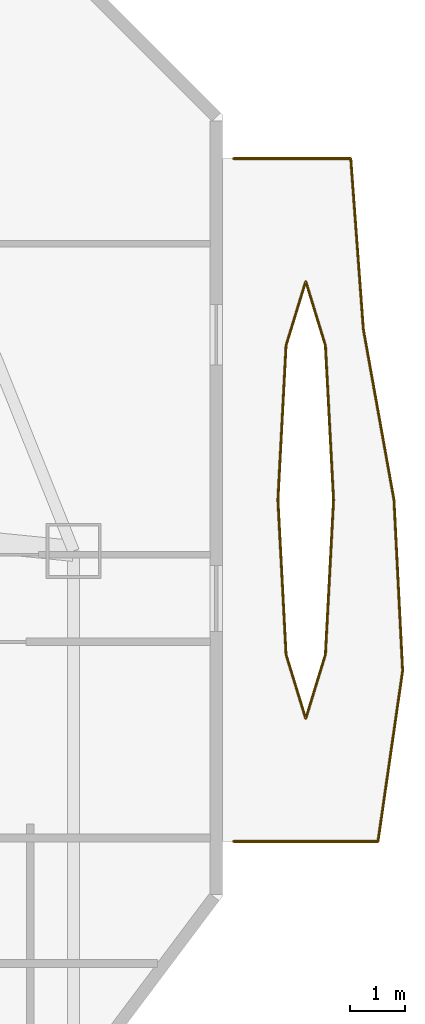
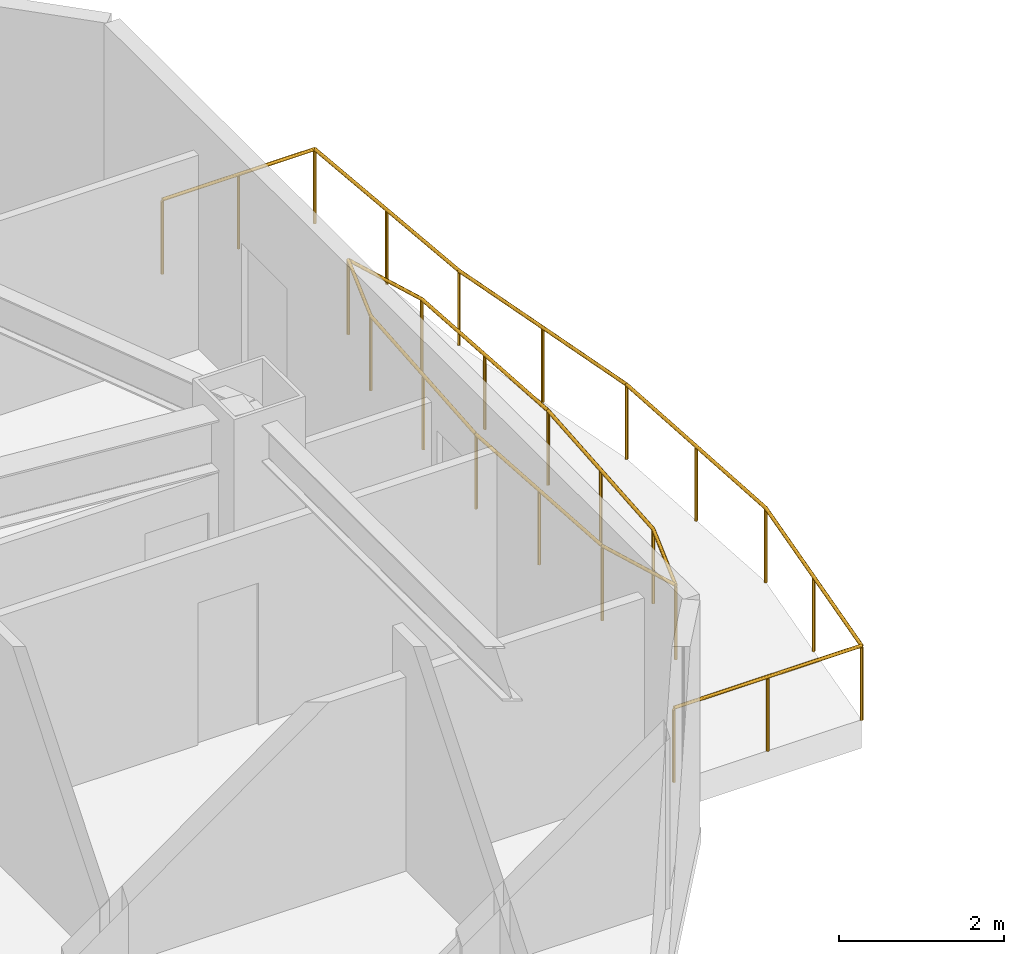
# One storey, part 15 of 15: 4 railings.
"""IFC4 building model written with IfcOpenShell, lengths in metres."""

from ifc_helpers import new_model, si_unit, direction, frame, origin, origin_2d, place, context, subcontext, project, spatial, circle, extrude, material, type_object, element, save


model = new_model("IFC4")

# Units and contexts
model_context = context("Model", 3, precision=1e-05, world=origin(), true_north=direction((0.0, 1.0)))
body_context = subcontext(model_context, "Body", "Model", "MODEL_VIEW")
ifc_project = project(units=[si_unit("LENGTHUNIT", "METRE"), si_unit("AREAUNIT", "SQUARE_METRE"), si_unit("VOLUMEUNIT", "CUBIC_METRE"), si_unit("PLANEANGLEUNIT", "RADIAN"), si_unit("MASSUNIT", "GRAM", prefix="KILO")], contexts=[model_context])

# Site, building, storey
site_placement = place(None, origin())
site = spatial("IfcSite", under=ifc_project, at=site_placement, CompositionType="ELEMENT")
building_placement = place(site_placement, origin())
building = spatial("IfcBuilding", under=site, at=building_placement, Name="Khamvora Tower", CompositionType="ELEMENT")
storey_placement = place(building_placement, frame((0.0, 0.0, 112.85009765625)))
storey = spatial("IfcBuildingStorey", under=building, at=storey_placement, Name="L28", CompositionType="ELEMENT", Elevation=112.85009765625)

# Railings
ifc_material = material(Name="Stainless Steel 316 and Laminated Glass", Category="steel")
railing_type = type_object("IfcRailingType", Name="RAL-GAL-1120", PredefinedType="GUARDRAIL", material=ifc_material)
railing_1_placement = place(storey_placement, frame((56.800048828125, 32.199951171875, 0.0)))
element("IfcRailing", 1, at=railing_1_placement, inside=storey, type_object=railing_type, Name="L28 lens gallery south perimeter guardrail EL2", PredefinedType="GUARDRAIL", context=body_context, shape_type="SweptSolid", body=[
    extrude(circle(Radius=0.02392578125, at=origin_2d()), frame((0.0, 0.0, 1.09619140625), z_axis=(1.0, 0.0, 0.0), x_axis=(0.0, 1.0, 0.0)), (0.0, 0.0, 1.0), 2.626953125),
    extrude(circle(Radius=0.02392578125, at=origin_2d()), frame((2.626953125, 0.0, 1.09619140625), z_axis=(0.143025235624, 0.989719041938, 0.0), x_axis=(-0.989719041938, 0.143025235624, 0.0)), (0.0, 0.0, 1.0), 3.13232421875),
    extrude(circle(Radius=0.02392578125, at=origin_2d()), frame((3.074951171875, 3.10009765625, 1.09619140625), z_axis=(-0.05057707045, 0.998720160978, 0.0), x_axis=(-0.998720160978, -0.05057707045, 0.0)), (0.0, 0.0, 1.0), 3.103759765625),
    extrude(circle(Radius=0.02099609375, at=origin_2d()), origin(), (0.0, 0.0, 1.0), 1.072021484375),
    extrude(circle(Radius=0.02099609375, at=origin_2d()), frame((1.3134765625, 0.0, 0.0)), (0.0, 0.0, 1.0), 1.072021484375),
    extrude(circle(Radius=0.02099609375, at=origin_2d()), frame((2.626953125, 0.0, 0.0)), (0.0, 0.0, 1.0), 1.072021484375),
    extrude(circle(Radius=0.02099609375, at=origin_2d()), frame((2.85107421875, 1.550048828125, 0.0)), (0.0, 0.0, 1.0), 1.072021484375),
    extrude(circle(Radius=0.02099609375, at=origin_2d()), frame((3.074951171875, 3.10009765625, 0.0)), (0.0, 0.0, 1.0), 1.072021484375),
    extrude(circle(Radius=0.02099609375, at=origin_2d()), frame((2.99658203125, 4.64990234375, 0.0)), (0.0, 0.0, 1.0), 1.072021484375),
    extrude(circle(Radius=0.02099609375, at=origin_2d()), frame((2.91796875, 6.199951171875, 0.0)), (0.0, 0.0, 1.0), 1.072021484375),
])
railing_2_placement = place(storey_placement, frame((59.718017578125, 38.39990234375, 0.0)))
element("IfcRailing", 2, at=railing_2_placement, inside=storey, type_object=railing_type, Name="L28 lens gallery north perimeter guardrail EL2", PredefinedType="GUARDRAIL", context=body_context, shape_type="SweptSolid", body=[
    extrude(circle(Radius=0.02392578125, at=origin_2d()), frame((0.0, 0.0, 1.09619140625), z_axis=(-0.176504238982, 0.984299879926, 0.0), x_axis=(-0.984299879926, -0.176504238982, 0.0)), (0.0, 0.0, 1.0), 3.149658203125),
    extrude(circle(Radius=0.02392578125, at=origin_2d()), frame((-0.555908203125, 3.10009765625, 1.09619140625), z_axis=(-0.073669176635, 0.997282734441, 0.0), x_axis=(-0.997282734441, -0.073669176635, 0.0)), (0.0, 0.0, 1.0), 3.108642578125),
    extrude(circle(Radius=0.02392578125, at=origin_2d()), frame((-0.784912109375, 6.2001953125, 1.09619140625), z_axis=(-1.0, 0.0, 0.0), x_axis=(0.0, -1.0, 0.0)), (0.0, 0.0, 1.0), 2.133056640625),
    extrude(circle(Radius=0.02099609375, at=origin_2d()), origin(), (0.0, 0.0, 1.0), 1.072021484375),
    extrude(circle(Radius=0.02099609375, at=origin_2d()), frame((-0.27783203125, 1.550048828125, 0.0)), (0.0, 0.0, 1.0), 1.072021484375),
    extrude(circle(Radius=0.02099609375, at=origin_2d()), frame((-0.555908203125, 3.10009765625, 0.0)), (0.0, 0.0, 1.0), 1.072021484375),
    extrude(circle(Radius=0.02099609375, at=origin_2d()), frame((-0.67041015625, 4.650146484375, 0.0)), (0.0, 0.0, 1.0), 1.072021484375),
    extrude(circle(Radius=0.02099609375, at=origin_2d()), frame((-0.784912109375, 6.2001953125, 0.0)), (0.0, 0.0, 1.0), 1.072021484375),
    extrude(circle(Radius=0.02099609375, at=origin_2d()), frame((-1.8515625, 6.2001953125, 0.0)), (0.0, 0.0, 1.0), 1.072021484375),
    extrude(circle(Radius=0.02099609375, at=origin_2d()), frame((-2.91796875, 6.2001953125, 0.0)), (0.0, 0.0, 1.0), 1.072021484375),
])
railing_3_placement = place(storey_placement, frame((58.618896484375, 38.39990234375, 0.0)))
element("IfcRailing", 3, at=railing_3_placement, inside=storey, type_object=railing_type, Name="L28 lens gallery void guardrail EL2A", PredefinedType="GUARDRAIL", context=body_context, shape_type="SweptSolid", body=[
    extrude(circle(Radius=0.02392578125, at=origin_2d()), frame((0.0, 0.0, 1.09619140625), z_axis=(-0.05265003421, 0.998613025099, 0.0), x_axis=(-0.998613025099, -0.05265003421, 0.0)), (0.0, 0.0, 1.0), 2.81005859375),
    extrude(circle(Radius=0.02392578125, at=origin_2d()), frame((-0.14794921875, 2.80615234375, 1.09619140625), z_axis=(-0.292927952476, 0.956134517031, 0.0), x_axis=(-0.956134517031, -0.292927952476, 0.0)), (0.0, 0.0, 1.0), 1.215087890625),
    extrude(circle(Radius=0.02392578125, at=origin_2d()), frame((-0.50390625, 3.968017578125, 1.09619140625), z_axis=(-0.292927952476, -0.956134517031, 0.0), x_axis=(0.956134517031, -0.292927952476, 0.0)), (0.0, 0.0, 1.0), 1.215087890625),
    extrude(circle(Radius=0.02392578125, at=origin_2d()), frame((-0.85986328125, 2.80615234375, 1.09619140625), z_axis=(-0.05265003421, -0.998613025099, 0.0), x_axis=(0.998613025099, -0.05265003421, 0.0)), (0.0, 0.0, 1.0), 2.81005859375),
    extrude(circle(Radius=0.02099609375, at=origin_2d()), origin(), (0.0, 0.0, 1.0), 1.072021484375),
    extrude(circle(Radius=0.02099609375, at=origin_2d()), frame((-0.073974609375, 1.403076171875, 0.0)), (0.0, 0.0, 1.0), 1.072021484375),
    extrude(circle(Radius=0.02099609375, at=origin_2d()), frame((-0.14794921875, 2.80615234375, 0.0)), (0.0, 0.0, 1.0), 1.072021484375),
    extrude(circle(Radius=0.02099609375, at=origin_2d()), frame((-0.50390625, 3.968017578125, 0.0)), (0.0, 0.0, 1.0), 1.072021484375),
    extrude(circle(Radius=0.02099609375, at=origin_2d()), frame((-0.85986328125, 2.80615234375, 0.0)), (0.0, 0.0, 1.0), 1.072021484375),
    extrude(circle(Radius=0.02099609375, at=origin_2d()), frame((-0.933837890625, 1.403076171875, 0.0)), (0.0, 0.0, 1.0), 1.072021484375),
    extrude(circle(Radius=0.02099609375, at=origin_2d()), frame((-1.0078125, 0.0, 0.0)), (0.0, 0.0, 1.0), 1.072021484375),
])
railing_4_placement = place(storey_placement, frame((57.611083984375, 38.39990234375, 0.0)))
element("IfcRailing", 4, at=railing_4_placement, inside=storey, type_object=railing_type, Name="L28 lens gallery void guardrail EL2B", PredefinedType="GUARDRAIL", context=body_context, shape_type="SweptSolid", body=[
    extrude(circle(Radius=0.02392578125, at=origin_2d()), frame((0.0, 0.0, 1.09619140625), z_axis=(0.052654602562, -0.998612784231, 0.0), x_axis=(0.998612784231, 0.052654602562, 0.0)), (0.0, 0.0, 1.0), 2.809814453125),
    extrude(circle(Radius=0.02392578125, at=origin_2d()), frame((0.14794921875, -2.805908203125, 1.09619140625), z_axis=(0.292871691974, -0.956151751575, 0.0), x_axis=(0.956151751575, 0.292871691974, 0.0)), (0.0, 0.0, 1.0), 1.21533203125),
    extrude(circle(Radius=0.02392578125, at=origin_2d()), frame((0.50390625, -3.968017578125, 1.09619140625), z_axis=(0.292871691974, 0.956151751575, 0.0), x_axis=(-0.956151751575, 0.292871691974, 0.0)), (0.0, 0.0, 1.0), 1.21533203125),
    extrude(circle(Radius=0.02392578125, at=origin_2d()), frame((0.85986328125, -2.805908203125, 1.09619140625), z_axis=(0.052654602562, 0.998612784231, 0.0), x_axis=(-0.998612784231, 0.052654602562, 0.0)), (0.0, 0.0, 1.0), 2.809814453125),
    extrude(circle(Radius=0.02099609375, at=origin_2d()), origin(), (0.0, 0.0, 1.0), 1.072021484375),
    extrude(circle(Radius=0.02099609375, at=origin_2d()), frame((0.073974609375, -1.40283203125, 0.0)), (0.0, 0.0, 1.0), 1.072021484375),
    extrude(circle(Radius=0.02099609375, at=origin_2d()), frame((0.14794921875, -2.805908203125, 0.0)), (0.0, 0.0, 1.0), 1.072021484375),
    extrude(circle(Radius=0.02099609375, at=origin_2d()), frame((0.50390625, -3.968017578125, 0.0)), (0.0, 0.0, 1.0), 1.072021484375),
    extrude(circle(Radius=0.02099609375, at=origin_2d()), frame((0.85986328125, -2.805908203125, 0.0)), (0.0, 0.0, 1.0), 1.072021484375),
    extrude(circle(Radius=0.02099609375, at=origin_2d()), frame((0.933837890625, -1.40283203125, 0.0)), (0.0, 0.0, 1.0), 1.072021484375),
    extrude(circle(Radius=0.02099609375, at=origin_2d()), frame((1.0078125, 0.0, 0.0)), (0.0, 0.0, 1.0), 1.072021484375),
])

save(model, "model.ifc")
